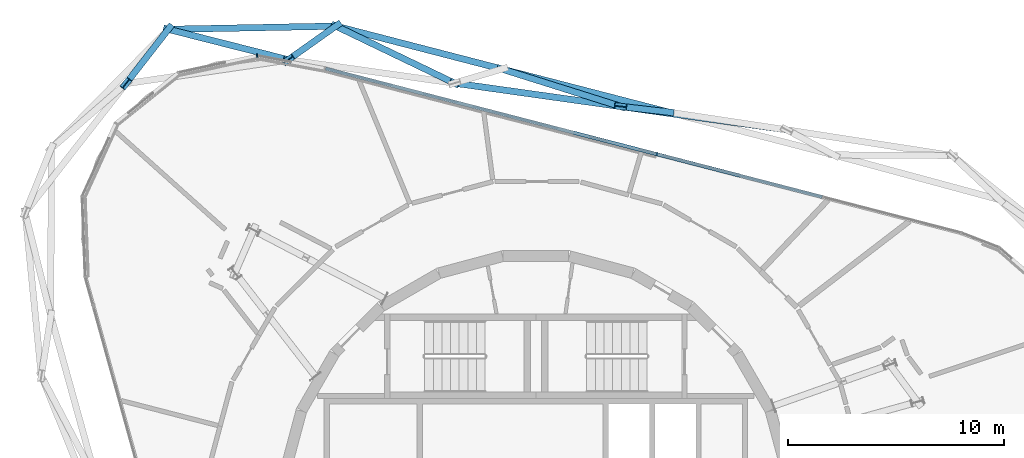
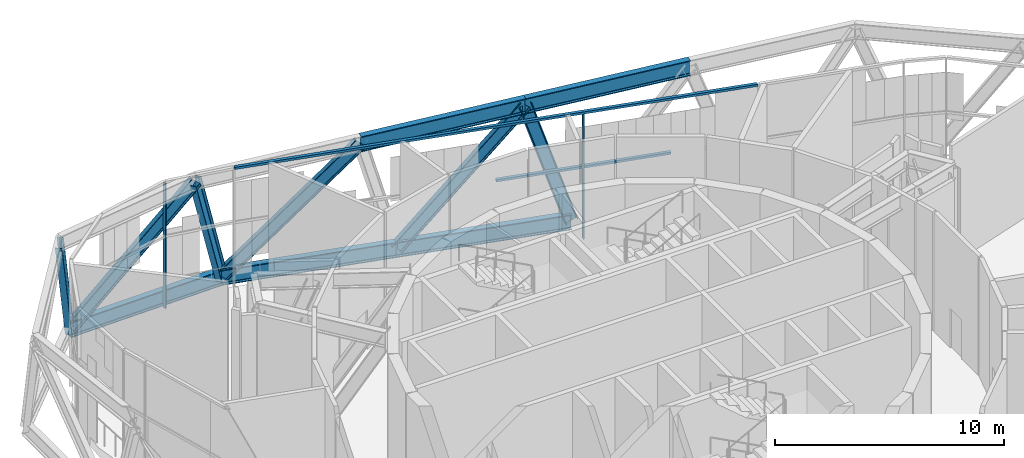
# One storey, part 6 of 23: 16 members, 2 elements without a shape of their own.
"""IFC4 building model written with IfcOpenShell, lengths in metres."""

import ifcopenshell
import ifcopenshell.guid

model = None  # the IFC model being written
_history = None  # IfcOwnerHistory: only IFC2X3 demands one
_inside = {}  # id of a spatial element -> (the spatial element, [elements in it])
_under = {}  # id of a project, library or spatial element -> (it, [spatial elements below it])
_declared = {}  # id of a project -> (the project, [libraries it declares])
_typed = {}  # id of a type object -> (the type object, [elements of that type])
_made_of = {}  # id of a material, layer set ... -> (it, [elements and type objects made of it])


def new_model(schema):
    """Start an empty IFC model of exactly this schema.

    Asked for "IFC4X3", IfcOpenShell would pick the latest addendum, in which some entities
    have other attributes; the version numbers below select the first issue.
    IFC2X3 requires an IfcOwnerHistory on every rooted entity: one is made here for all.
    """
    global model, _history
    if schema == "IFC4X3":
        model = ifcopenshell.file(schema_version=(4, 3, 0, 0))
    else:
        model = ifcopenshell.file(schema=schema)
    _inside.clear()
    _under.clear()
    _declared.clear()
    _typed.clear()
    _made_of.clear()
    _history = None
    if model.schema == "IFC2X3":
        org = make("IfcOrganization", Name="unknown")
        user = make(
            "IfcPersonAndOrganization",
            ThePerson=make("IfcPerson", FamilyName="unknown"),
            TheOrganization=org,
        )
        app = make(
            "IfcApplication",
            ApplicationDeveloper=org,
            Version="unknown",
            ApplicationFullName="unknown",
            ApplicationIdentifier="unknown",
        )
        _history = make(
            "IfcOwnerHistory",
            OwningUser=user,
            OwningApplication=app,
            ChangeAction="ADDED",
            CreationDate=0,
        )
    return model


def make(cls, **values):
    """One entity of the class cls with the attributes given. An attribute that is None is left unset."""
    return model.create_entity(
        cls, **{name: value for name, value in values.items() if value is not None}
    )


def rooted(cls, **values):
    """An entity with a GlobalId (a new one), such as an element, a storey or a relation."""
    return make(cls, GlobalId=ifcopenshell.guid.new(), OwnerHistory=_history, **values)


def si_unit(unit_type, name, prefix=None):
    """IfcSIUnit, for example si_unit("LENGTHUNIT", "METRE", prefix="MILLI")."""
    return make("IfcSIUnit", UnitType=unit_type, Prefix=prefix, Name=name)


def assignment(units):
    """IfcUnitAssignment: the units of a project."""
    return None if units is None else make("IfcUnitAssignment", Units=units)


def point(xyz):
    """IfcCartesianPoint."""
    return None if xyz is None else make("IfcCartesianPoint", Coordinates=xyz)


def direction(xyz):
    """IfcDirection."""
    return None if xyz is None else make("IfcDirection", DirectionRatios=xyz)


def frame(location, z_axis=None, x_axis=None):
    """IfcAxis2Placement3D, a coordinate frame: its origin and axes. An axis left out is left unset."""
    return make(
        "IfcAxis2Placement3D",
        Location=point(location),
        Axis=direction(z_axis),
        RefDirection=direction(x_axis),
    )


def frame_2d(location, x_axis=None):
    """IfcAxis2Placement2D, a coordinate frame in the plane: its origin and x axis."""
    return make(
        "IfcAxis2Placement2D", Location=point(location), RefDirection=direction(x_axis)
    )


def origin():
    """The frame at (0, 0, 0) with its axes left unset."""
    return frame((0.0, 0.0, 0.0))


def origin_2d():
    """The frame at (0, 0) in the plane with its x axis left unset."""
    return frame_2d((0.0, 0.0))


def place(relative_to, where):
    """IfcLocalPlacement: puts the frame where relative to a parent placement (None: the world)."""
    return make(
        "IfcLocalPlacement", PlacementRelTo=relative_to, RelativePlacement=where
    )


def context(
    kind, dimensions, precision=None, world=None, true_north=None, identifier=None
):
    """IfcGeometricRepresentationContext, for example the 3D "Model" context."""
    return make(
        "IfcGeometricRepresentationContext",
        ContextIdentifier=identifier,
        ContextType=kind,
        CoordinateSpaceDimension=dimensions,
        Precision=precision,
        WorldCoordinateSystem=world,
        TrueNorth=true_north,
    )


def subcontext(parent, identifier, kind, view, scale=None):
    """IfcGeometricRepresentationSubContext, for example "Body" below "Model"."""
    return make(
        "IfcGeometricRepresentationSubContext",
        ContextIdentifier=identifier,
        ContextType=kind,
        ParentContext=parent,
        TargetScale=scale,
        TargetView=view,
    )


def project(units=None, contexts=None):
    """IfcProject with its units and contexts."""
    return rooted(
        "IfcProject",
        Name="project",
        RepresentationContexts=contexts,
        UnitsInContext=assignment(units),
    )


def spatial(cls, under=None, at=None, **own):
    """A site, building, storey or space (cls), placed at a placement, below another one or the project."""
    s = rooted(cls, ObjectPlacement=at, **own)
    if under is not None:
        _under.setdefault(under.id(), (under, []))[1].append(s)
    return s


def profile(cls, at=None, kind="AREA", **sizes):
    """A parametric profile (cls). Its sizes go by their IFC names, for example OverallWidth=200.0."""
    return make(cls, ProfileType=kind, Position=at, **sizes)


def rectangle(**sizes):
    """IfcRectangleProfileDef."""
    return profile("IfcRectangleProfileDef", **sizes)


def i_section(**sizes):
    """IfcIShapeProfileDef."""
    return profile("IfcIShapeProfileDef", **sizes)


def extrude(swept, where, along, depth):
    """IfcExtrudedAreaSolid: the profile swept, set in the frame where, extruded along a direction by depth."""
    return make(
        "IfcExtrudedAreaSolid",
        SweptArea=swept,
        Position=where,
        ExtrudedDirection=direction(along),
        Depth=depth,
    )


def shape(context_of_items, identifier, shape_type, items):
    """IfcShapeRepresentation: the items that make up one representation, for example the "Body"."""
    return make(
        "IfcShapeRepresentation",
        ContextOfItems=context_of_items,
        RepresentationIdentifier=identifier,
        RepresentationType=shape_type,
        Items=items,
    )


def material(Name=None, Category=None):
    """IfcMaterial."""
    return make("IfcMaterial", Name=Name, Category=Category)


def layer(
    of_material, thickness, ventilated=None, Name=None, Category=None, Priority=None
):
    """IfcMaterialLayer: one layer of a wall or slab, of a material (None: an air gap)."""
    return make(
        "IfcMaterialLayer",
        Material=of_material,
        LayerThickness=thickness,
        IsVentilated=ventilated,
        Name=Name,
        Category=Category,
        Priority=Priority,
    )


def layer_set(layers, Name=None):
    """IfcMaterialLayerSet."""
    return make("IfcMaterialLayerSet", MaterialLayers=layers, LayerSetName=Name)


def material_profile(
    of_material, cross_section, Name=None, Category=None, Priority=None
):
    """IfcMaterialProfile: a cross section and its material."""
    return make(
        "IfcMaterialProfile",
        Name=Name,
        Material=of_material,
        Profile=cross_section,
        Priority=Priority,
        Category=Category,
    )


def profile_set(profiles, Name=None, composite=None):
    """IfcMaterialProfileSet."""
    return make(
        "IfcMaterialProfileSet",
        Name=Name,
        MaterialProfiles=profiles,
        CompositeProfile=composite,
    )


def made_of(thing, what):
    """Note that an element or type object is made of a material, layer set ...; save() writes the relation."""
    if what is not None:
        _made_of.setdefault(what.id(), (what, []))[1].append(thing)
    return thing


def type_object(cls, material=None, **own):
    """A type object (cls), such as IfcWallType, which elements share."""
    return made_of(rooted(cls, **own), material)


def element(
    cls,
    number,
    at=None,
    inside=None,
    cuts=None,
    type_object=None,
    material=None,
    context=None,
    identifier="Body",
    shape_type=None,
    held_by="IfcProductDefinitionShape",
    body=None,
    shapes=None,
    **own,
):
    """One element of the class cls, such as IfcWall. Its Tag is "e" and its number.

    at: its placement. inside: the storey or other place that contains it. cuts: it is an
    opening in that element (IfcRelVoidsElement). A single representation is given by context,
    identifier, shape_type and body (its items); several are given by shapes. held_by: the class
    of the entity that holds the representations. save() writes the other relations.
    """
    e = rooted(cls, Tag="e%d" % number, ObjectPlacement=at, **own)
    if body is not None:
        shapes = [shape(context, identifier, shape_type, body)]
    if shapes is not None:
        e.Representation = make(held_by, Representations=shapes)
    if inside is not None:
        _inside.setdefault(inside.id(), (inside, []))[1].append(e)
    if cuts is not None:
        rooted(
            "IfcRelVoidsElement", RelatingBuildingElement=cuts, RelatedOpeningElement=e
        )
    if type_object is not None:
        _typed.setdefault(type_object.id(), (type_object, []))[1].append(e)
    return made_of(e, material)


def aggregate(whole, parts):
    """IfcRelAggregates: a whole, such as a stair, and the parts it consists of."""
    return rooted("IfcRelAggregates", RelatingObject=whole, RelatedObjects=parts)


def save(model, path):
    """Write the relations noted so far, then the file.

    IfcRelAggregates (storeys below a building ...), IfcRelContainedInSpatialStructure (elements
    in a storey), IfcRelDefinesByType, IfcRelAssociatesMaterial and IfcRelDeclares: one each for
    every whole, place, type object, material and project.
    """
    for whole, parts in _under.values():
        aggregate(whole, parts)
    for where, things in _inside.values():
        rooted(
            "IfcRelContainedInSpatialStructure",
            RelatedElements=things,
            RelatingStructure=where,
        )
    for kind, things in _typed.values():
        rooted("IfcRelDefinesByType", RelatedObjects=things, RelatingType=kind)
    for what, things in _made_of.values():
        rooted("IfcRelAssociatesMaterial", RelatedObjects=things, RelatingMaterial=what)
    for by, libraries in _declared.values():
        rooted("IfcRelDeclares", RelatingContext=by, RelatedDefinitions=libraries)
    model.write(path)


model = new_model("IFC4")

# Units and contexts
model_context = context("Model", 3, precision=1e-05, world=origin(), true_north=direction((0.0, 1.0)))
body_context = subcontext(model_context, "Body", "Model", "MODEL_VIEW")
ifc_project = project(units=[si_unit("LENGTHUNIT", "METRE"), si_unit("AREAUNIT", "SQUARE_METRE"), si_unit("VOLUMEUNIT", "CUBIC_METRE"), si_unit("PLANEANGLEUNIT", "RADIAN"), si_unit("MASSUNIT", "GRAM", prefix="KILO")], contexts=[model_context])

# Site, building, storey
site_placement = place(None, origin())
site = spatial("IfcSite", under=ifc_project, at=site_placement, CompositionType="ELEMENT")
building_placement = place(site_placement, origin())
building = spatial("IfcBuilding", under=site, at=building_placement, Name="Spindle Arch Residences", CompositionType="ELEMENT")
storey_placement = place(building_placement, frame((0.0, 0.0, 326.199951171875)))
storey = spatial("IfcBuildingStorey", under=building, at=storey_placement, Name="L84", CompositionType="ELEMENT", Elevation=326.199951171875)

# Members
ifc_material_1 = material(Name="Steel S460ML, intumescent coating R 240", Category="steel")
ifc_material_profile_1 = material_profile(ifc_material_1, i_section(OverallWidth=0.302978515625, OverallDepth=0.81396484375, WebThickness=0.02099609375, FlangeThickness=0.0400390625, FilletRadius=0.030029296875, at=origin_2d()), Name="HEM 800")
ifc_profile_set_1 = profile_set([ifc_material_profile_1], Name="Steel S460ML, intumescent coating R 240")
member_type_1 = type_object("IfcMemberType", Name="Belt truss chord HEM 800", PredefinedType="CHORD", material=ifc_profile_set_1)
member_1_placement = place(storey_placement, frame((6.10400390625, 18.31982421875, -0.85693359375), z_axis=(-0.968148968941, 0.250374866825, 0.0), x_axis=(-0.250374866825, -0.968148968941, 0.0)))
element("IfcMember", 1, at=member_1_placement, inside=storey, type_object=member_type_1, Name="Belt truss bottom chord L84.7", PredefinedType="CHORD", context=body_context, shape_type="SweptSolid", body=[
    extrude(i_section(OverallWidth=0.302978515625, OverallDepth=0.81396484375, WebThickness=0.02099609375, FlangeThickness=0.0400390625, FilletRadius=0.030029296875, at=origin_2d()), origin(), (0.0, 0.0, 1.0), 7.935302734375),
])
member_2_placement = place(storey_placement, frame((-1.57861328125, 20.306640625, -0.85693359375), z_axis=(-0.968145111287, 0.25038978312, 0.0), x_axis=(-0.25038978312, -0.968145111287, 0.0)))
element("IfcMember", 2, at=member_2_placement, inside=storey, type_object=member_type_1, Name="Belt truss bottom chord L84.8", PredefinedType="CHORD", context=body_context, shape_type="SweptSolid", body=[
    extrude(i_section(OverallWidth=0.302978515625, OverallDepth=0.81396484375, WebThickness=0.02099609375, FlangeThickness=0.0400390625, FilletRadius=0.030029296875, at=origin_2d()), origin(), (0.0, 0.0, 1.0), 7.934814453125),
])
member_3_placement = place(storey_placement, frame((-9.2607421875, 22.29345703125, -0.85693359375), z_axis=(-0.99981639415, -0.019161888974, 0.0), x_axis=(0.019161888974, -0.99981639415, 0.0)))
element("IfcMember", 3, at=member_3_placement, inside=storey, type_object=member_type_1, Name="Belt truss bottom chord L84.9", PredefinedType="CHORD", context=body_context, shape_type="SweptSolid", body=[
    extrude(i_section(OverallWidth=0.302978515625, OverallDepth=0.81396484375, WebThickness=0.02099609375, FlangeThickness=0.0400390625, FilletRadius=0.030029296875, at=origin_2d()), origin(), (0.0, 0.0, 1.0), 7.75927734375),
])
member_4_placement = place(storey_placement, frame((11.607421875, 17.4931640625, 5.943115234375), z_axis=(-0.990267008072, 0.13918064781, 0.0), x_axis=(-0.13918064781, -0.990267008072, 0.0)))
element("IfcMember", 4, at=member_4_placement, inside=storey, type_object=member_type_1, Name="Belt truss top chord L84.6", PredefinedType="CHORD", context=body_context, shape_type="SweptSolid", body=[
    extrude(i_section(OverallWidth=0.302978515625, OverallDepth=0.81396484375, WebThickness=0.02099609375, FlangeThickness=0.0400390625, FilletRadius=0.030029296875, at=origin_2d()), origin(), (0.0, 0.0, 1.0), 7.765625),
])
member_5_placement = place(storey_placement, frame((3.91748046875, 18.573974609375, 5.943115234375), z_axis=(-0.990267617057, 0.139176314826, 0.0), x_axis=(-0.139176314826, -0.990267617057, 0.0)))
element("IfcMember", 5, at=member_5_placement, inside=storey, type_object=member_type_1, Name="Belt truss top chord L84.7", PredefinedType="CHORD", context=body_context, shape_type="SweptSolid", body=[
    extrude(i_section(OverallWidth=0.302978515625, OverallDepth=0.81396484375, WebThickness=0.02099609375, FlangeThickness=0.0400390625, FilletRadius=0.030029296875, at=origin_2d()), origin(), (0.0, 0.0, 1.0), 7.765869140625),
])
ifc_material_2 = material(Name="Steel S460ML, intumescent coating R 240", Category="steel")
ifc_material_profile_2 = material_profile(ifc_material_2, i_section(OverallWidth=0.300048828125, OverallDepth=0.60009765625, WebThickness=0.015380859375, FlangeThickness=0.030029296875, FilletRadius=0.027099609375, at=origin_2d()), Name="HEB 600")
ifc_profile_set_2 = profile_set([ifc_material_profile_2], Name="Steel S460ML, intumescent coating R 240")
member_type_2 = type_object("IfcMemberType", Name="Belt truss diagonal HEB 600", PredefinedType="BRACE", material=ifc_profile_set_2)
member_6_placement = place(storey_placement, frame((6.10400390625, 18.31982421875, -0.85693359375), z_axis=(-0.305916278298, 0.035558156064, 0.951394160277), x_axis=(-0.115457594773, -0.993312409974, 0.0)))
element("IfcMember", 6, at=member_6_placement, inside=storey, type_object=member_type_2, Name="Belt truss diagonal L84.7.7", PredefinedType="BRACE", context=body_context, shape_type="SweptSolid", body=[
    extrude(i_section(OverallWidth=0.300048828125, OverallDepth=0.60009765625, WebThickness=0.015380859375, FlangeThickness=0.030029296875, FilletRadius=0.027099609375, at=origin_2d()), origin(), (0.0, 0.0, 1.0), 7.1474609375),
])
member_7_placement = place(storey_placement, frame((-1.57861328125, 20.306640625, -0.85693359375), z_axis=(0.616605810502, -0.19438750165, 0.762896305967), x_axis=(0.300667020607, 0.953729176821, 0.0)))
element("IfcMember", 7, at=member_7_placement, inside=storey, type_object=member_type_2, Name="Belt truss diagonal L84.7.8", PredefinedType="BRACE", context=body_context, shape_type="SweptSolid", body=[
    extrude(i_section(OverallWidth=0.300048828125, OverallDepth=0.60009765625, WebThickness=0.015380859375, FlangeThickness=0.030029296875, FilletRadius=0.027099609375, at=origin_2d()), origin(), (0.0, 0.0, 1.0), 8.91357421875),
])
member_8_placement = place(storey_placement, frame((-9.2607421875, 22.29345703125, -0.85693359375), z_axis=(0.601225933771, -0.289072017981, 0.744959559292), x_axis=(0.433320111257, 0.901240079657, 0.0)))
element("IfcMember", 8, at=member_8_placement, inside=storey, type_object=member_type_2, Name="Belt truss diagonal L84.8.9", PredefinedType="BRACE", context=body_context, shape_type="SweptSolid", body=[
    extrude(i_section(OverallWidth=0.300048828125, OverallDepth=0.60009765625, WebThickness=0.015380859375, FlangeThickness=0.030029296875, FilletRadius=0.027099609375, at=origin_2d()), origin(), (0.0, 0.0, 1.0), 9.128173828125),
])
member_9_placement = place(storey_placement, frame((-9.2607421875, 22.29345703125, -0.85693359375), z_axis=(-0.300993213462, -0.212954617485, 0.929544736063), x_axis=(0.577567719294, -0.816342777043, 0.0)))
element("IfcMember", 9, at=member_9_placement, inside=storey, type_object=member_type_2, Name="Belt truss diagonal L84.9.9", PredefinedType="BRACE", context=body_context, shape_type="SweptSolid", body=[
    extrude(i_section(OverallWidth=0.300048828125, OverallDepth=0.60009765625, WebThickness=0.015380859375, FlangeThickness=0.030029296875, FilletRadius=0.027099609375, at=origin_2d()), origin(), (0.0, 0.0, 1.0), 7.3154296875),
])
member_10_placement = place(storey_placement, frame((-17.0185546875, 22.144775390625, -0.85693359375), z_axis=(0.624714712406, -0.158450293097, 0.764607763969), x_axis=(0.245851513849, 0.969307501848, 0.0)))
element("IfcMember", 10, at=member_10_placement, inside=storey, type_object=member_type_2, Name="Belt truss diagonal L84.9.10", PredefinedType="BRACE", context=body_context, shape_type="SweptSolid", body=[
    extrude(i_section(OverallWidth=0.300048828125, OverallDepth=0.60009765625, WebThickness=0.015380859375, FlangeThickness=0.030029296875, FilletRadius=0.027099609375, at=origin_2d()), origin(), (0.0, 0.0, 1.0), 8.8935546875),
])
member_11_placement = place(storey_placement, frame((-17.0185546875, 22.144775390625, -0.85693359375), z_axis=(-0.260626617442, -0.33462688956, 0.905592961029), x_axis=(0.788939278139, -0.614471167272, 0.0)))
element("IfcMember", 11, at=member_11_placement, inside=storey, type_object=member_type_2, Name="Belt truss diagonal L84.10.10", PredefinedType="BRACE", context=body_context, shape_type="SweptSolid", body=[
    extrude(i_section(OverallWidth=0.300048828125, OverallDepth=0.60009765625, WebThickness=0.015380859375, FlangeThickness=0.030029296875, FilletRadius=0.027099609375, at=origin_2d()), origin(), (0.0, 0.0, 1.0), 7.509033203125),
])

# Curtain wall, member
ifc_material_3 = material(Name="Aluminium bronze unitised frame with tinted glass", Category="aluminium")
ifc_layer = layer(ifc_material_3, 0.159912109375)
ifc_layer_set = layer_set([ifc_layer], Name="CW-E double-height winter garden wall")
curtain_wall_type = type_object("IfcCurtainWallType", Name="CW-E double-height winter garden wall", PredefinedType="NOTDEFINED", material=ifc_layer_set)
curtain_wall_1_placement = place(storey_placement, origin())
curtain_wall_1 = element("IfcCurtainWall", 12, at=curtain_wall_1_placement, inside=storey, type_object=curtain_wall_type, Name="CW-E L84 run 2", PredefinedType="NOTDEFINED")
ifc_material_4 = material(Name="Aluminium bronze anodised mullion", Category="aluminium")
ifc_material_profile_3 = material_profile(ifc_material_4, rectangle(XDim=0.159912109375, YDim=0.06005859375, at=origin_2d()), Name="MU 60x160")
ifc_profile_set_3 = profile_set([ifc_material_profile_3], Name="Aluminium bronze anodised mullion")
member_type_3 = type_object("IfcMemberType", Name="Bronze mullion 60x160", PredefinedType="MULLION", material=ifc_profile_set_3)
member_12_placement = place(storey_placement, frame((5.59814453125, 16.3642578125, -0.449951171875), z_axis=(0.0, 0.0, 1.0), x_axis=(-0.250380004054, -0.968147640378, 0.0)))
member_12 = element("IfcMember", 13, at=member_12_placement, type_object=member_type_3, Name="CW-E mullion 06", PredefinedType="MULLION", context=body_context, shape_type="SweptSolid", body=[
    extrude(rectangle(XDim=0.159912109375, YDim=0.06005859375, at=origin_2d()), origin(), (0.0, 0.0, 1.0), 6.679931640625),
])

curtain_wall_2_placement = place(storey_placement, origin())
curtain_wall_2 = element("IfcCurtainWall", 14, at=curtain_wall_2_placement, inside=storey, type_object=curtain_wall_type, Name="CW-E L84 run 3", PredefinedType="NOTDEFINED")
member_13_placement = place(storey_placement, frame((-12.908935546875, 20.925537109375, -0.449951171875), z_axis=(0.0, 0.0, 1.0), x_axis=(0.210756129184, -0.977538671364, 0.0)))
member_13 = element("IfcMember", 15, at=member_13_placement, type_object=member_type_3, Name="CW-E mullion 01", PredefinedType="MULLION", context=body_context, shape_type="SweptSolid", body=[
    extrude(rectangle(XDim=0.159912109375, YDim=0.06005859375, at=origin_2d()), origin(), (0.0, 0.0, 1.0), 6.679931640625),
])
aggregate(curtain_wall_2, [member_13])

# Member
ifc_material_5 = material(Name="Aluminium bronze anodised transom", Category="aluminium")
ifc_material_profile_4 = material_profile(ifc_material_5, rectangle(XDim=0.159912109375, YDim=0.1201171875, at=origin_2d()), Name="TR 120x160")
ifc_profile_set_4 = profile_set([ifc_material_profile_4], Name="Aluminium bronze anodised transom")
member_type_4 = type_object("IfcMemberType", Name="Bronze transom 120x160", PredefinedType="USERDEFINED", material=ifc_profile_set_4)
member_14_placement = place(storey_placement, frame((13.25146484375, 14.385009765625, 6.2900390625), z_axis=(-0.96814815777, 0.250378003441, 0.0), x_axis=(-0.250378003441, -0.96814815777, 0.0)))
member_14 = element("IfcMember", 16, at=member_14_placement, type_object=member_type_4, Name="CW-E transom 00", ObjectType="TRANSOM", PredefinedType="USERDEFINED", context=body_context, shape_type="SweptSolid", body=[
    extrude(rectangle(XDim=0.159912109375, YDim=0.1201171875, at=origin_2d()), origin(), (0.0, 0.0, 1.0), 23.745361328125),
])

member_15_placement = place(storey_placement, frame((9.439208984375, 15.370849609375, 3.400146484375), z_axis=(-0.968148466473, 0.250376809762, 0.0), x_axis=(-0.250376809762, -0.968148466473, 0.0)))
member_15 = element("IfcMember", 17, at=member_15_placement, type_object=member_type_4, Name="CW-E transom 05Bm", ObjectType="TRANSOM", PredefinedType="USERDEFINED", context=body_context, shape_type="SweptSolid", body=[
    extrude(rectangle(XDim=0.159912109375, YDim=0.1201171875, at=origin_2d()), origin(), (0.0, 0.0, 1.0), 3.9375),
])

member_16_placement = place(storey_placement, frame((5.569091796875, 16.371826171875, 3.400146484375), z_axis=(-0.968152353136, 0.250361780465, 0.0), x_axis=(-0.250361780465, -0.968152353136, 0.0)))
member_16 = element("IfcMember", 18, at=member_16_placement, type_object=member_type_4, Name="CW-E transom 06Am", ObjectType="TRANSOM", PredefinedType="USERDEFINED", context=body_context, shape_type="SweptSolid", body=[
    extrude(rectangle(XDim=0.159912109375, YDim=0.1201171875, at=origin_2d()), origin(), (0.0, 0.0, 1.0), 3.937744140625),
])

aggregate(curtain_wall_1, [member_14, member_15, member_12, member_16])

save(model, "model.ifc")
